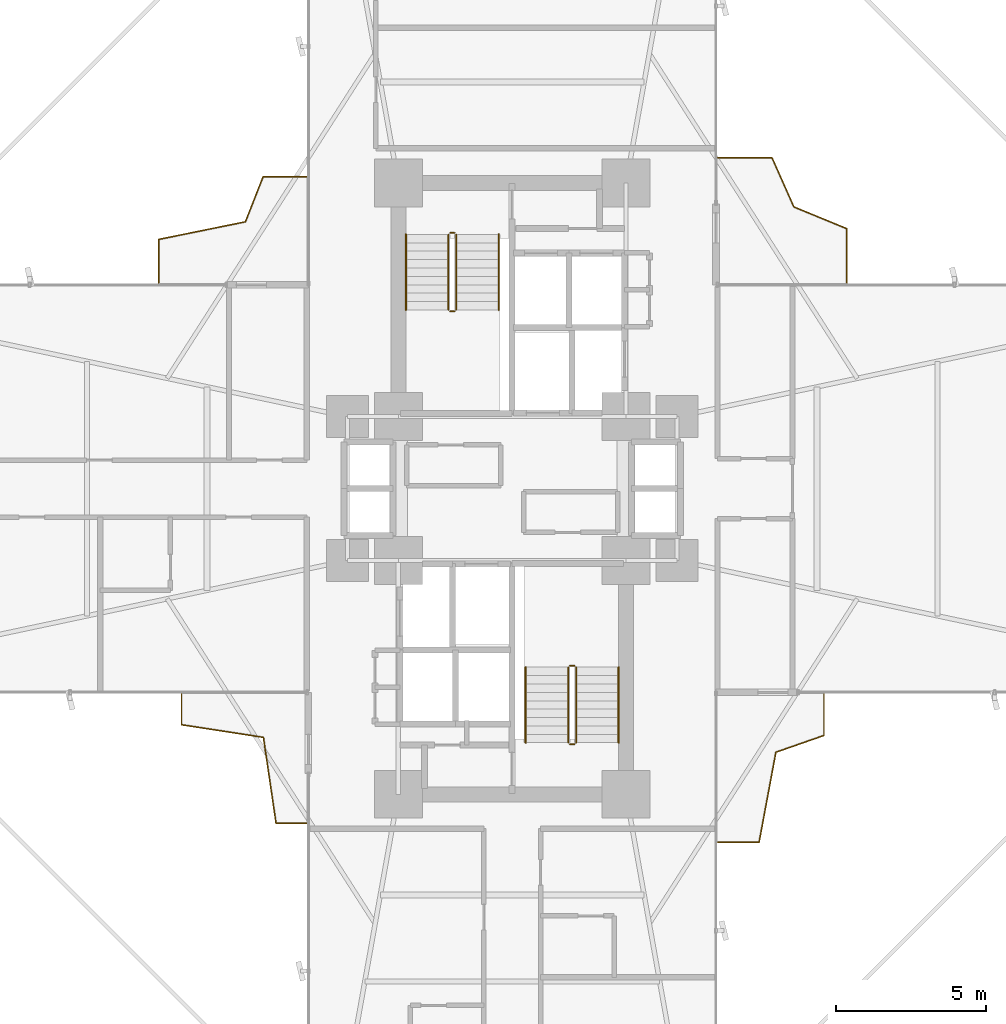
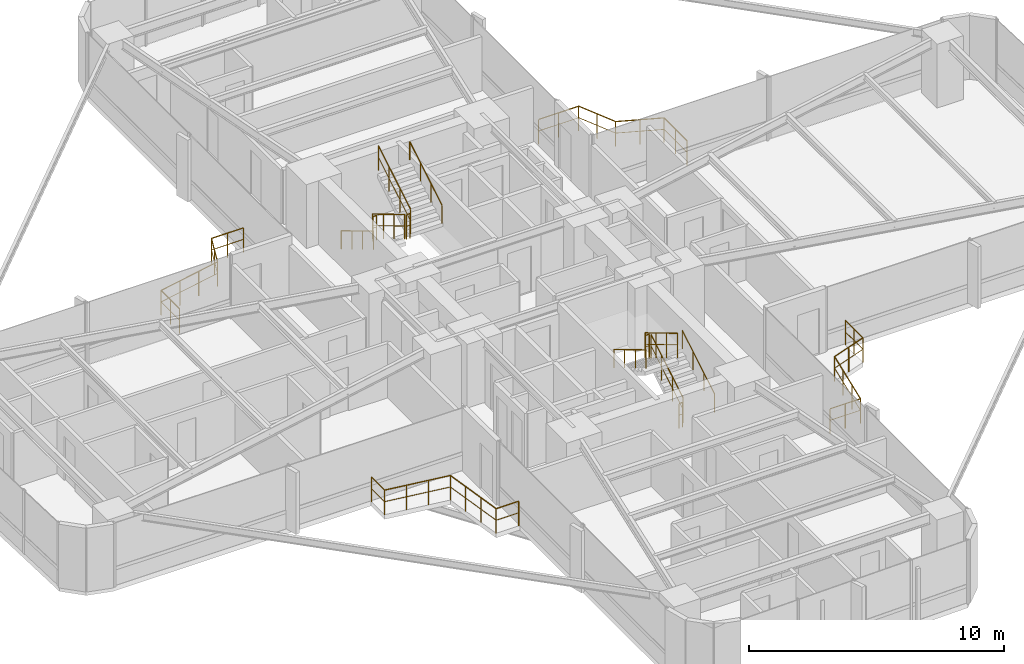
# One storey, part 26 of 26: 16 railings.
"""IFC4 building model written with IfcOpenShell, lengths in metres."""

from ifc_helpers import new_model, si_unit, direction, frame, origin, origin_2d, place, context, subcontext, project, spatial, circle, extrude, material, type_object, element, save


model = new_model("IFC4")

# Units and contexts
model_context = context("Model", 3, precision=1e-05, world=origin(), true_north=direction((0.0, 1.0)))
body_context = subcontext(model_context, "Body", "Model", "MODEL_VIEW")
ifc_project = project(units=[si_unit("LENGTHUNIT", "METRE"), si_unit("AREAUNIT", "SQUARE_METRE"), si_unit("VOLUMEUNIT", "CUBIC_METRE"), si_unit("PLANEANGLEUNIT", "RADIAN"), si_unit("MASSUNIT", "GRAM", prefix="KILO")], contexts=[model_context])

# Site, building, storey
site_placement = place(None, origin())
site = spatial("IfcSite", under=ifc_project, at=site_placement, CompositionType="ELEMENT")
building_placement = place(site_placement, origin())
building = spatial("IfcBuilding", under=site, at=building_placement, Name="Sahyath Konkavel Grand Hotel", CompositionType="ELEMENT")
storey_placement = place(building_placement, frame((0.0, 0.0, 43.199951171875)))
storey = spatial("IfcBuildingStorey", under=building, at=storey_placement, Name="L11", CompositionType="ELEMENT", Elevation=43.199951171875)

# Railings
ifc_material_1 = material(Name="Anodised Bronze Aluminium", Category="aluminium")
railing_type_1 = type_object("IfcRailingType", Name="RLG-BALC-1200", PredefinedType="GUARDRAIL", material=ifc_material_1)
railing_1_placement = place(storey_placement, frame((11.166015625, 6.860107421875, 0.0)))
element("IfcRailing", 1, at=railing_1_placement, inside=storey, type_object=railing_type_1, Name="L11 Winter-Garden Guard NE", PredefinedType="GUARDRAIL", context=body_context, shape_type="SweptSolid", body=[
    extrude(circle(Radius=0.02392578125, at=origin_2d()), frame((0.0, 0.001953125, 1.17578125), z_axis=(0.0, 1.0, 0.0), x_axis=(-1.0, 0.0, 0.0)), (0.0, 0.0, 1.0), 1.806640625),
    extrude(circle(Radius=0.01416015625, at=origin_2d()), frame((0.0, 0.001953125, 0.6240234375), z_axis=(0.0, 1.0, 0.0), x_axis=(-1.0, 0.0, 0.0)), (0.0, 0.0, 1.0), 1.806640625),
    extrude(circle(Radius=0.02392578125, at=origin_2d()), frame((-0.001953125, 1.811279296875, 1.17578125), z_axis=(-0.924812920246, 0.380422216158, 0.0), x_axis=(-0.380422216158, -0.924812920246, 0.0)), (0.0, 0.0, 1.0), 1.90771484375),
    extrude(circle(Radius=0.01416015625, at=origin_2d()), frame((-0.001953125, 1.811279296875, 0.6240234375), z_axis=(-0.924812920246, 0.380422216158, 0.0), x_axis=(-0.380422216158, -0.924812920246, 0.0)), (0.0, 0.0, 1.0), 1.90771484375),
    extrude(circle(Radius=0.02392578125, at=origin_2d()), frame((-1.768798828125, 2.53955078125, 1.17578125), z_axis=(-0.406227030166, 0.913772181653, 0.0), x_axis=(-0.913772181653, -0.406227030166, 0.0)), (0.0, 0.0, 1.0), 1.786376953125),
    extrude(circle(Radius=0.01416015625, at=origin_2d()), frame((-1.768798828125, 2.53955078125, 0.6240234375), z_axis=(-0.406227030166, 0.913772181653, 0.0), x_axis=(-0.913772181653, -0.406227030166, 0.0)), (0.0, 0.0, 1.0), 1.786376953125),
    extrude(circle(Radius=0.02392578125, at=origin_2d()), frame((-2.497314453125, 4.173828125, 1.17578125), z_axis=(-1.0, 0.0, 0.0), x_axis=(0.0, -1.0, 0.0)), (0.0, 0.0, 1.0), 1.806640625),
    extrude(circle(Radius=0.01416015625, at=origin_2d()), frame((-2.497314453125, 4.173828125, 0.6240234375), z_axis=(-1.0, 0.0, 0.0), x_axis=(0.0, -1.0, 0.0)), (0.0, 0.0, 1.0), 1.806640625),
    extrude(circle(Radius=0.02099609375, at=origin_2d()), origin(), (0.0, 0.0, 1.0), 1.15185546875),
    extrude(circle(Radius=0.02099609375, at=origin_2d()), frame((0.0, 0.9052734375, 0.0)), (0.0, 0.0, 1.0), 1.15185546875),
    extrude(circle(Radius=0.02099609375, at=origin_2d()), frame((0.0, 1.810546875, 0.0)), (0.0, 0.0, 1.0), 1.15185546875),
    extrude(circle(Radius=0.02099609375, at=origin_2d()), frame((-0.884033203125, 2.17431640625, 0.0)), (0.0, 0.0, 1.0), 1.15185546875),
    extrude(circle(Radius=0.02099609375, at=origin_2d()), frame((-1.76806640625, 2.537841796875, 0.0)), (0.0, 0.0, 1.0), 1.15185546875),
    extrude(circle(Radius=0.02099609375, at=origin_2d()), frame((-2.1318359375, 3.35595703125, 0.0)), (0.0, 0.0, 1.0), 1.15185546875),
    extrude(circle(Radius=0.02099609375, at=origin_2d()), frame((-2.495361328125, 4.173828125, 0.0)), (0.0, 0.0, 1.0), 1.15185546875),
    extrude(circle(Radius=0.02099609375, at=origin_2d()), frame((-3.400634765625, 4.173828125, 0.0)), (0.0, 0.0, 1.0), 1.15185546875),
    extrude(circle(Radius=0.02099609375, at=origin_2d()), frame((-4.305908203125, 4.173828125, 0.0)), (0.0, 0.0, 1.0), 1.15185546875),
])
railing_2_placement = place(storey_placement, frame((-6.860107421875, 10.403076171875, 0.0)))
element("IfcRailing", 2, at=railing_2_placement, inside=storey, type_object=railing_type_1, Name="L11 Winter-Garden Guard NW", PredefinedType="GUARDRAIL", context=body_context, shape_type="SweptSolid", body=[
    extrude(circle(Radius=0.02392578125, at=origin_2d()), frame((-0.001953125, 0.0, 1.17578125), z_axis=(-1.0, 0.0, 0.0), x_axis=(0.0, -1.0, 0.0)), (0.0, 0.0, 1.0), 1.449462890625),
    extrude(circle(Radius=0.01416015625, at=origin_2d()), frame((-0.001953125, 0.0, 0.6240234375), z_axis=(-1.0, 0.0, 0.0), x_axis=(0.0, -1.0, 0.0)), (0.0, 0.0, 1.0), 1.449462890625),
    extrude(circle(Radius=0.02392578125, at=origin_2d()), frame((-1.4541015625, -0.001953125, 1.17578125), z_axis=(-0.365090102215, -0.930972189308, 0.0), x_axis=(0.930972189308, -0.365090102215, 0.0)), (0.0, 0.0, 1.0), 1.608154296875),
    extrude(circle(Radius=0.01416015625, at=origin_2d()), frame((-1.4541015625, -0.001953125, 0.6240234375), z_axis=(-0.365090102215, -0.930972189308, 0.0), x_axis=(0.930972189308, -0.365090102215, 0.0)), (0.0, 0.0, 1.0), 1.608154296875),
    extrude(circle(Radius=0.02392578125, at=origin_2d()), frame((-2.0439453125, -1.50146484375, 1.17578125), z_axis=(-0.979949517937, -0.1992459342, 0.0), x_axis=(0.1992459342, -0.979949517937, 0.0)), (0.0, 0.0, 1.0), 2.9501953125),
    extrude(circle(Radius=0.01416015625, at=origin_2d()), frame((-2.0439453125, -1.50146484375, 0.6240234375), z_axis=(-0.979949517937, -0.1992459342, 0.0), x_axis=(0.1992459342, -0.979949517937, 0.0)), (0.0, 0.0, 1.0), 2.9501953125),
    extrude(circle(Radius=0.02392578125, at=origin_2d()), frame((-4.93701171875, -2.091552734375, 1.17578125), z_axis=(0.0, -1.0, 0.0), x_axis=(1.0, 0.0, 0.0)), (0.0, 0.0, 1.0), 1.449462890625),
    extrude(circle(Radius=0.01416015625, at=origin_2d()), frame((-4.93701171875, -2.091552734375, 0.6240234375), z_axis=(0.0, -1.0, 0.0), x_axis=(1.0, 0.0, 0.0)), (0.0, 0.0, 1.0), 1.449462890625),
    extrude(circle(Radius=0.02099609375, at=origin_2d()), origin(), (0.0, 0.0, 1.0), 1.15185546875),
    extrude(circle(Radius=0.02099609375, at=origin_2d()), frame((-0.7265625, 0.0, 0.0)), (0.0, 0.0, 1.0), 1.15185546875),
    extrude(circle(Radius=0.02099609375, at=origin_2d()), frame((-1.453369140625, 0.0, 0.0)), (0.0, 0.0, 1.0), 1.15185546875),
    extrude(circle(Radius=0.02099609375, at=origin_2d()), frame((-1.74755859375, -0.75048828125, 0.0)), (0.0, 0.0, 1.0), 1.15185546875),
    extrude(circle(Radius=0.02099609375, at=origin_2d()), frame((-2.0419921875, -1.5009765625, 0.0)), (0.0, 0.0, 1.0), 1.15185546875),
    extrude(circle(Radius=0.02099609375, at=origin_2d()), frame((-3.007080078125, -1.697265625, 0.0)), (0.0, 0.0, 1.0), 1.15185546875),
    extrude(circle(Radius=0.02099609375, at=origin_2d()), frame((-3.971923828125, -1.893310546875, 0.0)), (0.0, 0.0, 1.0), 1.15185546875),
    extrude(circle(Radius=0.02099609375, at=origin_2d()), frame((-4.93701171875, -2.089599609375, 0.0)), (0.0, 0.0, 1.0), 1.15185546875),
    extrude(circle(Radius=0.02099609375, at=origin_2d()), frame((-4.93701171875, -2.81640625, 0.0)), (0.0, 0.0, 1.0), 1.15185546875),
    extrude(circle(Radius=0.02099609375, at=origin_2d()), frame((-4.93701171875, -3.54296875, 0.0)), (0.0, 0.0, 1.0), 1.15185546875),
])
railing_3_placement = place(storey_placement, frame((-11.033935546875, -6.860107421875, 0.0)))
element("IfcRailing", 3, at=railing_3_placement, inside=storey, type_object=railing_type_1, Name="L11 Winter-Garden Guard SW", PredefinedType="GUARDRAIL", context=body_context, shape_type="SweptSolid", body=[
    extrude(circle(Radius=0.02392578125, at=origin_2d()), frame((0.0, -0.001953125, 1.17578125), z_axis=(0.0, -1.0, 0.0), x_axis=(1.0, 0.0, 0.0)), (0.0, 0.0, 1.0), 1.017333984375),
    extrude(circle(Radius=0.01416015625, at=origin_2d()), frame((0.0, -0.001953125, 0.6240234375), z_axis=(0.0, -1.0, 0.0), x_axis=(1.0, 0.0, 0.0)), (0.0, 0.0, 1.0), 1.017333984375),
    extrude(circle(Radius=0.02392578125, at=origin_2d()), frame((0.001953125, -1.021484375, 1.17578125), z_axis=(0.988352288826, -0.152183288083, 0.0), x_axis=(0.152183288083, 0.988352288826, 0.0)), (0.0, 0.0, 1.0), 2.760009765625),
    extrude(circle(Radius=0.01416015625, at=origin_2d()), frame((0.001953125, -1.021484375, 0.6240234375), z_axis=(0.988352288826, -0.152183288083, 0.0), x_axis=(0.152183288083, 0.988352288826, 0.0)), (0.0, 0.0, 1.0), 2.760009765625),
    extrude(circle(Radius=0.02392578125, at=origin_2d()), frame((2.732177734375, -1.44384765625, 1.17578125), z_axis=(0.145316739791, -0.989385185424, 0.0), x_axis=(0.989385185424, 0.145316739791, 0.0)), (0.0, 0.0, 1.0), 2.890625),
    extrude(circle(Radius=0.01416015625, at=origin_2d()), frame((2.732177734375, -1.44384765625, 0.6240234375), z_axis=(0.145316739791, -0.989385185424, 0.0), x_axis=(0.989385185424, 0.145316739791, 0.0)), (0.0, 0.0, 1.0), 2.890625),
    extrude(circle(Radius=0.02392578125, at=origin_2d()), frame((3.154541015625, -4.305908203125, 1.17578125), z_axis=(1.0, 0.0, 0.0), x_axis=(0.0, 1.0, 0.0)), (0.0, 0.0, 1.0), 1.017333984375),
    extrude(circle(Radius=0.01416015625, at=origin_2d()), frame((3.154541015625, -4.305908203125, 0.6240234375), z_axis=(1.0, 0.0, 0.0), x_axis=(0.0, 1.0, 0.0)), (0.0, 0.0, 1.0), 1.017333984375),
    extrude(circle(Radius=0.02099609375, at=origin_2d()), origin(), (0.0, 0.0, 1.0), 1.15185546875),
    extrude(circle(Radius=0.02099609375, at=origin_2d()), frame((0.0, -1.021240234375, 0.0)), (0.0, 0.0, 1.0), 1.15185546875),
    extrude(circle(Radius=0.02099609375, at=origin_2d()), frame((0.91064453125, -1.161376953125, 0.0)), (0.0, 0.0, 1.0), 1.15185546875),
    extrude(circle(Radius=0.02099609375, at=origin_2d()), frame((1.8212890625, -1.3017578125, 0.0)), (0.0, 0.0, 1.0), 1.15185546875),
    extrude(circle(Radius=0.02099609375, at=origin_2d()), frame((2.73193359375, -1.44189453125, 0.0)), (0.0, 0.0, 1.0), 1.15185546875),
    extrude(circle(Radius=0.02099609375, at=origin_2d()), frame((2.8720703125, -2.396484375, 0.0)), (0.0, 0.0, 1.0), 1.15185546875),
    extrude(circle(Radius=0.02099609375, at=origin_2d()), frame((3.012451171875, -3.351318359375, 0.0)), (0.0, 0.0, 1.0), 1.15185546875),
    extrude(circle(Radius=0.02099609375, at=origin_2d()), frame((3.152587890625, -4.305908203125, 0.0)), (0.0, 0.0, 1.0), 1.15185546875),
    extrude(circle(Radius=0.02099609375, at=origin_2d()), frame((4.173828125, -4.305908203125, 0.0)), (0.0, 0.0, 1.0), 1.15185546875),
])
railing_4_placement = place(storey_placement, frame((6.860107421875, -11.797119140625, 0.0)))
element("IfcRailing", 4, at=railing_4_placement, inside=storey, type_object=railing_type_1, Name="L11 Winter-Garden Guard SE", PredefinedType="GUARDRAIL", context=body_context, shape_type="SweptSolid", body=[
    extrude(circle(Radius=0.02392578125, at=origin_2d()), frame((0.001953125, 0.0, 1.17578125), z_axis=(1.0, 0.0, 0.0), x_axis=(0.0, 1.0, 0.0)), (0.0, 0.0, 1.0), 1.37451171875),
    extrude(circle(Radius=0.01416015625, at=origin_2d()), frame((0.001953125, 0.0, 0.6240234375), z_axis=(1.0, 0.0, 0.0), x_axis=(0.0, 1.0, 0.0)), (0.0, 0.0, 1.0), 1.37451171875),
    extrude(circle(Radius=0.02392578125, at=origin_2d()), frame((1.37890625, 0.001953125, 1.17578125), z_axis=(0.183418750364, 0.983034873244, 0.0), x_axis=(-0.983034873244, 0.183418750364, 0.0)), (0.0, 0.0, 1.0), 3.046875),
    extrude(circle(Radius=0.01416015625, at=origin_2d()), frame((1.37890625, 0.001953125, 0.6240234375), z_axis=(0.183418750364, 0.983034873244, 0.0), x_axis=(-0.983034873244, 0.183418750364, 0.0)), (0.0, 0.0, 1.0), 3.046875),
    extrude(circle(Radius=0.02392578125, at=origin_2d()), frame((1.93994140625, 2.999755859375, 1.17578125), z_axis=(0.944256264339, 0.329211341324, 0.0), x_axis=(-0.329211341324, 0.944256264339, 0.0)), (0.0, 0.0, 1.0), 1.69580078125),
    extrude(circle(Radius=0.01416015625, at=origin_2d()), frame((1.93994140625, 2.999755859375, 0.6240234375), z_axis=(0.944256264339, 0.329211341324, 0.0), x_axis=(-0.329211341324, 0.944256264339, 0.0)), (0.0, 0.0, 1.0), 1.69580078125),
    extrude(circle(Radius=0.02392578125, at=origin_2d()), frame((3.54296875, 3.560546875, 1.17578125), z_axis=(0.0, 1.0, 0.0), x_axis=(-1.0, 0.0, 0.0)), (0.0, 0.0, 1.0), 1.37451171875),
    extrude(circle(Radius=0.01416015625, at=origin_2d()), frame((3.54296875, 3.560546875, 0.6240234375), z_axis=(0.0, 1.0, 0.0), x_axis=(-1.0, 0.0, 0.0)), (0.0, 0.0, 1.0), 1.37451171875),
    extrude(circle(Radius=0.02099609375, at=origin_2d()), origin(), (0.0, 0.0, 1.0), 1.15185546875),
    extrude(circle(Radius=0.02099609375, at=origin_2d()), frame((0.689208984375, 0.0, 0.0)), (0.0, 0.0, 1.0), 1.15185546875),
    extrude(circle(Radius=0.02099609375, at=origin_2d()), frame((1.37841796875, 0.0, 0.0)), (0.0, 0.0, 1.0), 1.15185546875),
    extrude(circle(Radius=0.02099609375, at=origin_2d()), frame((1.56494140625, 0.999755859375, 0.0)), (0.0, 0.0, 1.0), 1.15185546875),
    extrude(circle(Radius=0.02099609375, at=origin_2d()), frame((1.75146484375, 1.999267578125, 0.0)), (0.0, 0.0, 1.0), 1.15185546875),
    extrude(circle(Radius=0.02099609375, at=origin_2d()), frame((1.93798828125, 2.9990234375, 0.0)), (0.0, 0.0, 1.0), 1.15185546875),
    extrude(circle(Radius=0.02099609375, at=origin_2d()), frame((2.740478515625, 3.27880859375, 0.0)), (0.0, 0.0, 1.0), 1.15185546875),
    extrude(circle(Radius=0.02099609375, at=origin_2d()), frame((3.54296875, 3.55859375, 0.0)), (0.0, 0.0, 1.0), 1.15185546875),
    extrude(circle(Radius=0.02099609375, at=origin_2d()), frame((3.54296875, 4.247802734375, 0.0)), (0.0, 0.0, 1.0), 1.15185546875),
    extrude(circle(Radius=0.02099609375, at=origin_2d()), frame((3.54296875, 4.93701171875, 0.0)), (0.0, 0.0, 1.0), 1.15185546875),
])
ifc_material_2 = material(Name="Steel E350", Category="steel")
railing_type_2 = type_object("IfcRailingType", Name="RLG-STAIR-GRD", PredefinedType="GUARDRAIL", material=ifc_material_2)
railing_5_placement = place(storey_placement, frame((-2.1298828125, 8.47998046875, 0.16748046875)))
element("IfcRailing", 5, at=railing_5_placement, inside=storey, type_object=railing_type_2, Name="L11 ST-1 stair guard 1", PredefinedType="GUARDRAIL", context=body_context, shape_type="SweptSolid", body=[
    extrude(circle(Radius=0.02392578125, at=origin_2d()), frame((0.0, -0.001708984375, 1.177001953125), z_axis=(0.0, -0.858159760407, 0.513382728203), x_axis=(1.0, 0.0, 0.0)), (0.0, 0.0, 1.0), 2.9326171875),
    extrude(circle(Radius=0.01416015625, at=origin_2d()), frame((0.0, -0.001708984375, 0.625), z_axis=(0.0, -0.858159760407, 0.513382728203), x_axis=(1.0, 0.0, 0.0)), (0.0, 0.0, 1.0), 2.9326171875),
    extrude(circle(Radius=0.02099609375, at=origin_2d()), origin(), (0.0, 0.0, 1.0), 1.15185546875),
    extrude(circle(Radius=0.02099609375, at=origin_2d()), frame((0.0, -0.840087890625, 0.50244140625)), (0.0, 0.0, 1.0), 1.15185546875),
    extrude(circle(Radius=0.02099609375, at=origin_2d()), frame((0.0, -1.679931640625, 1.005126953125)), (0.0, 0.0, 1.0), 1.15185546875),
    extrude(circle(Radius=0.02099609375, at=origin_2d()), frame((0.0, -2.52001953125, 1.507568359375)), (0.0, 0.0, 1.0), 1.15185546875),
])
railing_6_placement = place(storey_placement, frame((-2.080078125, 5.909912109375, 1.675048828125)))
element("IfcRailing", 6, at=railing_6_placement, inside=storey, type_object=railing_type_2, Name="L11 ST-1 stair guard 2", PredefinedType="GUARDRAIL", context=body_context, shape_type="SweptSolid", body=[
    extrude(circle(Radius=0.02392578125, at=origin_2d()), frame((0.001953125, 0.0, 1.17578125), z_axis=(1.0, 0.0, 0.0), x_axis=(0.0, 1.0, 0.0)), (0.0, 0.0, 1.0), 0.15625),
    extrude(circle(Radius=0.01416015625, at=origin_2d()), frame((0.001953125, 0.0, 0.6240234375), z_axis=(1.0, 0.0, 0.0), x_axis=(0.0, 1.0, 0.0)), (0.0, 0.0, 1.0), 0.15625),
    extrude(circle(Radius=0.02099609375, at=origin_2d()), origin(), (0.0, 0.0, 1.0), 1.15185546875),
    extrude(circle(Radius=0.02099609375, at=origin_2d()), frame((0.16015625, 0.0, 0.0)), (0.0, 0.0, 1.0), 1.15185546875),
])
railing_7_placement = place(storey_placement, frame((-1.8701171875, 5.9599609375, 1.842529296875)))
element("IfcRailing", 7, at=railing_7_placement, inside=storey, type_object=railing_type_2, Name="L11 ST-1 stair guard 3", PredefinedType="GUARDRAIL", context=body_context, shape_type="SweptSolid", body=[
    extrude(circle(Radius=0.02392578125, at=origin_2d()), frame((0.0, 0.001708984375, 1.177001953125), z_axis=(0.0, 0.858159760407, 0.513382728203), x_axis=(-1.0, 0.0, 0.0)), (0.0, 0.0, 1.0), 2.9326171875),
    extrude(circle(Radius=0.01416015625, at=origin_2d()), frame((0.0, 0.001708984375, 0.625), z_axis=(0.0, 0.858159760407, 0.513382728203), x_axis=(-1.0, 0.0, 0.0)), (0.0, 0.0, 1.0), 2.9326171875),
    extrude(circle(Radius=0.02099609375, at=origin_2d()), origin(), (0.0, 0.0, 1.0), 1.15185546875),
    extrude(circle(Radius=0.02099609375, at=origin_2d()), frame((0.0, 0.840087890625, 0.50244140625)), (0.0, 0.0, 1.0), 1.15185546875),
    extrude(circle(Radius=0.02099609375, at=origin_2d()), frame((0.0, 1.679931640625, 1.005126953125)), (0.0, 0.0, 1.0), 1.15185546875),
    extrude(circle(Radius=0.02099609375, at=origin_2d()), frame((0.0, 2.52001953125, 1.507568359375)), (0.0, 0.0, 1.0), 1.15185546875),
])
railing_8_placement = place(storey_placement, frame((-2.080078125, 8.530029296875, 0.0)))
element("IfcRailing", 8, at=railing_8_placement, inside=storey, type_object=railing_type_2, Name="L11 ST-1 stair guard 4", PredefinedType="GUARDRAIL", context=body_context, shape_type="SweptSolid", body=[
    extrude(circle(Radius=0.02392578125, at=origin_2d()), frame((0.001953125, 0.0, 1.17578125), z_axis=(1.0, 0.0, 0.0), x_axis=(0.0, 1.0, 0.0)), (0.0, 0.0, 1.0), 0.15625),
    extrude(circle(Radius=0.01416015625, at=origin_2d()), frame((0.001953125, 0.0, 0.6240234375), z_axis=(1.0, 0.0, 0.0), x_axis=(0.0, 1.0, 0.0)), (0.0, 0.0, 1.0), 0.15625),
    extrude(circle(Radius=0.02099609375, at=origin_2d()), origin(), (0.0, 0.0, 1.0), 1.15185546875),
    extrude(circle(Radius=0.02099609375, at=origin_2d()), frame((0.16015625, 0.0, 0.0)), (0.0, 0.0, 1.0), 1.15185546875),
])
railing_9_placement = place(storey_placement, frame((2.1298828125, -8.47998046875, 0.16748046875)))
element("IfcRailing", 9, at=railing_9_placement, inside=storey, type_object=railing_type_2, Name="L11 ST-2 stair guard 1", PredefinedType="GUARDRAIL", context=body_context, shape_type="SweptSolid", body=[
    extrude(circle(Radius=0.02392578125, at=origin_2d()), frame((0.0, 0.001708984375, 1.177001953125), z_axis=(0.0, 0.858159760407, 0.513382728203), x_axis=(-1.0, 0.0, 0.0)), (0.0, 0.0, 1.0), 2.9326171875),
    extrude(circle(Radius=0.01416015625, at=origin_2d()), frame((0.0, 0.001708984375, 0.625), z_axis=(0.0, 0.858159760407, 0.513382728203), x_axis=(-1.0, 0.0, 0.0)), (0.0, 0.0, 1.0), 2.9326171875),
    extrude(circle(Radius=0.02099609375, at=origin_2d()), origin(), (0.0, 0.0, 1.0), 1.15185546875),
    extrude(circle(Radius=0.02099609375, at=origin_2d()), frame((0.0, 0.840087890625, 0.50244140625)), (0.0, 0.0, 1.0), 1.15185546875),
    extrude(circle(Radius=0.02099609375, at=origin_2d()), frame((0.0, 1.679931640625, 1.005126953125)), (0.0, 0.0, 1.0), 1.15185546875),
    extrude(circle(Radius=0.02099609375, at=origin_2d()), frame((0.0, 2.52001953125, 1.507568359375)), (0.0, 0.0, 1.0), 1.15185546875),
])
railing_10_placement = place(storey_placement, frame((2.080078125, -5.909912109375, 1.675048828125)))
element("IfcRailing", 10, at=railing_10_placement, inside=storey, type_object=railing_type_2, Name="L11 ST-2 stair guard 2", PredefinedType="GUARDRAIL", context=body_context, shape_type="SweptSolid", body=[
    extrude(circle(Radius=0.02392578125, at=origin_2d()), frame((-0.001953125, 0.0, 1.17578125), z_axis=(-1.0, 0.0, 0.0), x_axis=(0.0, -1.0, 0.0)), (0.0, 0.0, 1.0), 0.15625),
    extrude(circle(Radius=0.01416015625, at=origin_2d()), frame((-0.001953125, 0.0, 0.6240234375), z_axis=(-1.0, 0.0, 0.0), x_axis=(0.0, -1.0, 0.0)), (0.0, 0.0, 1.0), 0.15625),
    extrude(circle(Radius=0.02099609375, at=origin_2d()), origin(), (0.0, 0.0, 1.0), 1.15185546875),
    extrude(circle(Radius=0.02099609375, at=origin_2d()), frame((-0.16015625, 0.0, 0.0)), (0.0, 0.0, 1.0), 1.15185546875),
])
railing_11_placement = place(storey_placement, frame((1.8701171875, -5.9599609375, 1.842529296875)))
element("IfcRailing", 11, at=railing_11_placement, inside=storey, type_object=railing_type_2, Name="L11 ST-2 stair guard 3", PredefinedType="GUARDRAIL", context=body_context, shape_type="SweptSolid", body=[
    extrude(circle(Radius=0.02392578125, at=origin_2d()), frame((0.0, -0.001708984375, 1.177001953125), z_axis=(0.0, -0.858159760407, 0.513382728203), x_axis=(1.0, 0.0, 0.0)), (0.0, 0.0, 1.0), 2.9326171875),
    extrude(circle(Radius=0.01416015625, at=origin_2d()), frame((0.0, -0.001708984375, 0.625), z_axis=(0.0, -0.858159760407, 0.513382728203), x_axis=(1.0, 0.0, 0.0)), (0.0, 0.0, 1.0), 2.9326171875),
    extrude(circle(Radius=0.02099609375, at=origin_2d()), origin(), (0.0, 0.0, 1.0), 1.15185546875),
    extrude(circle(Radius=0.02099609375, at=origin_2d()), frame((0.0, -0.840087890625, 0.50244140625)), (0.0, 0.0, 1.0), 1.15185546875),
    extrude(circle(Radius=0.02099609375, at=origin_2d()), frame((0.0, -1.679931640625, 1.005126953125)), (0.0, 0.0, 1.0), 1.15185546875),
    extrude(circle(Radius=0.02099609375, at=origin_2d()), frame((0.0, -2.52001953125, 1.507568359375)), (0.0, 0.0, 1.0), 1.15185546875),
])
railing_12_placement = place(storey_placement, frame((2.080078125, -8.530029296875, 0.0)))
element("IfcRailing", 12, at=railing_12_placement, inside=storey, type_object=railing_type_2, Name="L11 ST-2 stair guard 4", PredefinedType="GUARDRAIL", context=body_context, shape_type="SweptSolid", body=[
    extrude(circle(Radius=0.02392578125, at=origin_2d()), frame((-0.001953125, 0.0, 1.17578125), z_axis=(-1.0, 0.0, 0.0), x_axis=(0.0, -1.0, 0.0)), (0.0, 0.0, 1.0), 0.15625),
    extrude(circle(Radius=0.01416015625, at=origin_2d()), frame((-0.001953125, 0.0, 0.6240234375), z_axis=(-1.0, 0.0, 0.0), x_axis=(0.0, -1.0, 0.0)), (0.0, 0.0, 1.0), 0.15625),
    extrude(circle(Radius=0.02099609375, at=origin_2d()), origin(), (0.0, 0.0, 1.0), 1.15185546875),
    extrude(circle(Radius=0.02099609375, at=origin_2d()), frame((-0.16015625, 0.0, 0.0)), (0.0, 0.0, 1.0), 1.15185546875),
])
railing_type_3 = type_object("IfcRailingType", Name="RLG-STAIR-HND", PredefinedType="HANDRAIL", material=ifc_material_1)
railing_13_placement = place(storey_placement, frame((-3.550048828125, 8.47998046875, 0.16748046875)))
element("IfcRailing", 13, at=railing_13_placement, inside=storey, type_object=railing_type_3, Name="L11 ST-1 stair handrail 1", PredefinedType="HANDRAIL", context=body_context, shape_type="SweptSolid", body=[
    extrude(circle(Radius=0.02392578125, at=origin_2d()), frame((0.0, -0.001708984375, 0.876953125), z_axis=(0.0, -0.858159760407, 0.513382728203), x_axis=(1.0, 0.0, 0.0)), (0.0, 0.0, 1.0), 2.9326171875),
    extrude(circle(Radius=0.02099609375, at=origin_2d()), origin(), (0.0, 0.0, 1.0), 0.851806640625),
    extrude(circle(Radius=0.02099609375, at=origin_2d()), frame((0.0, -0.840087890625, 0.50244140625)), (0.0, 0.0, 1.0), 0.851806640625),
    extrude(circle(Radius=0.02099609375, at=origin_2d()), frame((0.0, -1.679931640625, 1.005126953125)), (0.0, 0.0, 1.0), 0.851806640625),
    extrude(circle(Radius=0.02099609375, at=origin_2d()), frame((0.0, -2.52001953125, 1.507568359375)), (0.0, 0.0, 1.0), 0.851806640625),
])
for number, where, name in (
    (14, (-0.449951171875, 5.9599609375, 1.842529296875), "L11 ST-1 stair handrail 2"),
    (15, (3.550048828125, -8.47998046875, 0.16748046875), "L11 ST-2 stair handrail 1"),
):
    element("IfcRailing", number, at=place(storey_placement, frame(where)), inside=storey, type_object=railing_type_3, Name=name, PredefinedType="HANDRAIL", context=body_context, shape_type="SweptSolid", body=[
        extrude(circle(Radius=0.02392578125, at=origin_2d()), frame((0.0, 0.001708984375, 0.876953125), z_axis=(0.0, 0.858159760407, 0.513382728203), x_axis=(-1.0, 0.0, 0.0)), (0.0, 0.0, 1.0), 2.9326171875),
        extrude(circle(Radius=0.02099609375, at=origin_2d()), origin(), (0.0, 0.0, 1.0), 0.851806640625),
        extrude(circle(Radius=0.02099609375, at=origin_2d()), frame((0.0, 0.840087890625, 0.50244140625)), (0.0, 0.0, 1.0), 0.851806640625),
        extrude(circle(Radius=0.02099609375, at=origin_2d()), frame((0.0, 1.679931640625, 1.005126953125)), (0.0, 0.0, 1.0), 0.851806640625),
        extrude(circle(Radius=0.02099609375, at=origin_2d()), frame((0.0, 2.52001953125, 1.507568359375)), (0.0, 0.0, 1.0), 0.851806640625),
    ])
railing_14_placement = place(storey_placement, frame((0.449951171875, -5.9599609375, 1.842529296875)))
element("IfcRailing", 16, at=railing_14_placement, inside=storey, type_object=railing_type_3, Name="L11 ST-2 stair handrail 2", PredefinedType="HANDRAIL", context=body_context, shape_type="SweptSolid", body=[
    extrude(circle(Radius=0.02392578125, at=origin_2d()), frame((0.0, -0.001708984375, 0.876953125), z_axis=(0.0, -0.858159760407, 0.513382728203), x_axis=(1.0, 0.0, 0.0)), (0.0, 0.0, 1.0), 2.9326171875),
    extrude(circle(Radius=0.02099609375, at=origin_2d()), origin(), (0.0, 0.0, 1.0), 0.851806640625),
    extrude(circle(Radius=0.02099609375, at=origin_2d()), frame((0.0, -0.840087890625, 0.50244140625)), (0.0, 0.0, 1.0), 0.851806640625),
    extrude(circle(Radius=0.02099609375, at=origin_2d()), frame((0.0, -1.679931640625, 1.005126953125)), (0.0, 0.0, 1.0), 0.851806640625),
    extrude(circle(Radius=0.02099609375, at=origin_2d()), frame((0.0, -2.52001953125, 1.507568359375)), (0.0, 0.0, 1.0), 0.851806640625),
])

save(model, "model.ifc")
